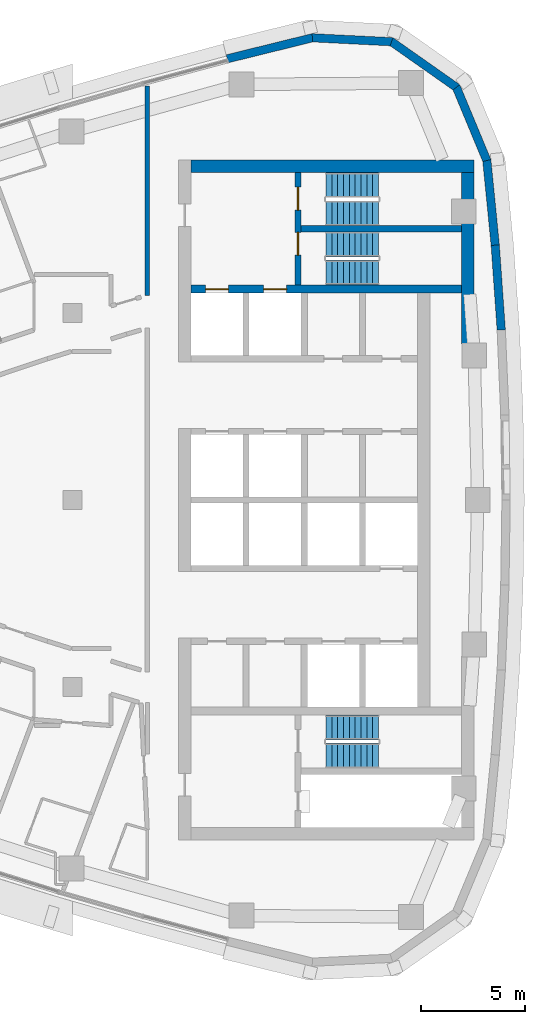
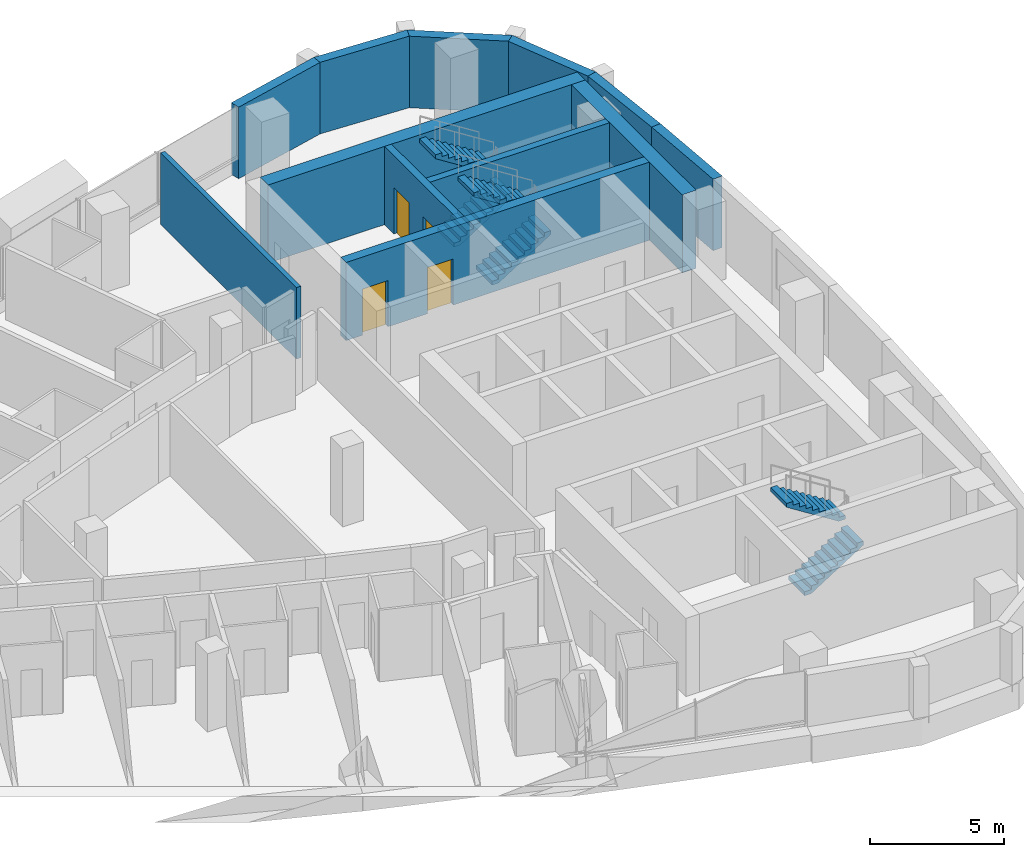
# One storey, part 12 of 16: 12 walls, 6 stair flights, 4 doors, 4 openings, 3 elements without a shape of their own.
"""IFC4 building model written with IfcOpenShell, lengths in metres."""

from ifc_helpers import new_model, si_unit, direction, frame, frame_2d, origin, place, context, subcontext, project, spatial, polyline, rectangle, outline, extrude, material, layer, layer_set, type_object, element, fill, aggregate, save


model = new_model("IFC4")

# Units and contexts
model_context = context("Model", 3, precision=1e-05, world=origin(), true_north=direction((0.0, 1.0)))
body_context = subcontext(model_context, "Body", "Model", "MODEL_VIEW")
ifc_project = project(units=[si_unit("LENGTHUNIT", "METRE"), si_unit("AREAUNIT", "SQUARE_METRE"), si_unit("VOLUMEUNIT", "CUBIC_METRE"), si_unit("PLANEANGLEUNIT", "RADIAN"), si_unit("MASSUNIT", "GRAM", prefix="KILO")], contexts=[model_context])

# Site, building, storey
site_placement = place(None, origin())
site = spatial("IfcSite", under=ifc_project, at=site_placement, CompositionType="ELEMENT")
building_placement = place(site_placement, origin())
building = spatial("IfcBuilding", under=site, at=building_placement, Name="Ostrand Prow Hotel Tower", CompositionType="ELEMENT")
storey_placement = place(building_placement, frame((0.0, 0.0, 249.199951171875)))
storey = spatial("IfcBuildingStorey", under=building, at=storey_placement, Name="L63", CompositionType="ELEMENT", Elevation=249.199951171875)

# Wall, openings, doors
ifc_material_1 = material(Name="Concrete C50/60", Category="concrete")
ifc_layer_1 = layer(ifc_material_1, 0.300048828125)
ifc_layer_set_1 = layer_set([ifc_layer_1], Name="Concrete C50/60")
wall_type_1 = type_object("IfcWallType", Name="Core wall 300 C50/60", PredefinedType="SHEAR", material=ifc_layer_set_1)
wall_1_placement = place(storey_placement, frame((55.85009765625, 10.35009765625, 0.0), z_axis=(0.0, 0.0, 1.0), x_axis=(0.0, 1.0, 0.0)))
wall_1 = element("IfcWall", 1, at=wall_1_placement, inside=storey, type_object=wall_type_1, Name="Core wall PW-VN", PredefinedType="SHEAR", context=body_context, shape_type="SweptSolid", body=[
    extrude(rectangle(XDim=5.39990234375, YDim=0.300048828125, at=frame_2d((2.699951171875, 0.0))), origin(), (0.0, 0.0, 1.0), 3.550048828125),
])
opening_1_placement = place(wall_1_placement, frame((1.429931640625, 0.0, 0.0)))
opening_1 = element("IfcOpeningElement", 2, at=opening_1_placement, cuts=wall_1, Name="Opening FD1", PredefinedType="OPENING", context=body_context, shape_type="SweptSolid", body=[
    extrude(rectangle(XDim=1.10009765625, YDim=2.10009765625, at=frame_2d((0.550048828125, 1.050048828125))), frame((0.0, 0.159912109375, 0.0), z_axis=(0.0, -1.0, 0.0), x_axis=(1.0, 0.0, 0.0)), (0.0, 0.0, 1.0), 0.320068359375),
])
opening_2_placement = place(wall_1_placement, frame((3.60009765625, 0.0, 0.0)))
opening_2 = element("IfcOpeningElement", 3, at=opening_2_placement, cuts=wall_1, Name="Opening FD1", PredefinedType="OPENING", context=body_context, shape_type="SweptSolid", body=[
    extrude(rectangle(XDim=1.10009765625, YDim=2.10009765625, at=frame_2d((0.550048828125, 1.050048828125))), frame((0.0, 0.159912109375, 0.0), z_axis=(0.0, -1.0, 0.0), x_axis=(1.0, 0.0, 0.0)), (0.0, 0.0, 1.0), 0.320068359375),
])
ifc_material_2 = material(Name="Steel fire door", Category="steel")
door_type_1 = type_object("IfcDoorType", Name="Fire door 1100 EI120", OperationType="SINGLE_SWING_RIGHT", PredefinedType="DOOR", material=ifc_material_2)
door_1_placement = place(opening_1_placement, origin())
door_1 = element("IfcDoor", 4, at=door_1_placement, inside=storey, type_object=door_type_1, Name="FIRE DOOR", OperationType="SINGLE_SWING_RIGHT", OverallHeight=2.10009765625, OverallWidth=1.10009765625, PredefinedType="DOOR", context=body_context, shape_type="SweptSolid", body=[
    extrude(rectangle(XDim=1.10009765625, YDim=2.10009765625, at=frame_2d((0.550048828125, 1.050048828125))), frame((0.0, 0.02490234375, 0.0), z_axis=(0.0, -1.0, 0.0), x_axis=(1.0, 0.0, 0.0)), (0.0, 0.0, 1.0), 0.050048828125),
])
fill(opening_1, door_1)
door_2_placement = place(opening_2_placement, origin())
door_2 = element("IfcDoor", 5, at=door_2_placement, inside=storey, type_object=door_type_1, Name="FIRE DOOR", OperationType="SINGLE_SWING_RIGHT", OverallHeight=2.10009765625, OverallWidth=1.10009765625, PredefinedType="DOOR", context=body_context, shape_type="SweptSolid", body=[
    extrude(rectangle(XDim=1.10009765625, YDim=2.10009765625, at=frame_2d((0.550048828125, 1.050048828125))), frame((0.0, 0.02490234375, 0.0), z_axis=(0.0, -1.0, 0.0), x_axis=(1.0, 0.0, 0.0)), (0.0, 0.0, 1.0), 0.050048828125),
])
fill(opening_2, door_2)

# Wall
wall_2_placement = place(storey_placement, frame((56.0, 13.050048828125, 0.0), z_axis=(0.0, 0.0, 1.0), x_axis=(1.0, 0.0, 0.0)))
element("IfcWall", 6, at=wall_2_placement, inside=storey, type_object=wall_type_1, Name="Core wall PW-ST13", PredefinedType="SHEAR", context=body_context, shape_type="SweptSolid", body=[
    extrude(rectangle(XDim=7.719970703125, YDim=0.300048828125, at=frame_2d((3.85986328125, 0.0))), origin(), (0.0, 0.0, 1.0), 3.550048828125),
])

# Wall, openings, doors
ifc_material_3 = material(Name="Concrete C50/60", Category="concrete")
ifc_layer_2 = layer(ifc_material_3, 0.39990234375)
ifc_layer_set_2 = layer_set([ifc_layer_2], Name="Concrete C50/60")
wall_type_2 = type_object("IfcWallType", Name="Core wall 400 C50/60", PredefinedType="SHEAR", material=ifc_layer_set_2)
wall_3_placement = place(storey_placement, frame((50.699951171875, 10.14990234375, 0.0), z_axis=(0.0, 0.0, 1.0), x_axis=(1.0, 0.0, 0.0)))
wall_3 = element("IfcWall", 7, at=wall_3_placement, inside=storey, type_object=wall_type_2, Name="Core wall PW-BN", PredefinedType="SHEAR", context=body_context, shape_type="SweptSolid", body=[
    extrude(rectangle(XDim=13.02001953125, YDim=0.39990234375, at=frame_2d((6.510009765625, 0.0))), origin(), (0.0, 0.0, 1.0), 3.550048828125),
])
opening_3_placement = place(wall_3_placement, frame((0.699951171875, 0.0, 0.0)))
opening_3 = element("IfcOpeningElement", 8, at=opening_3_placement, cuts=wall_3, Name="Opening LD", PredefinedType="OPENING", context=body_context, shape_type="SweptSolid", body=[
    extrude(rectangle(XDim=1.10009765625, YDim=2.10009765625, at=frame_2d((0.550048828125, 1.050048828125))), frame((0.0, 0.2099609375, 0.0), z_axis=(0.0, -1.0, 0.0), x_axis=(1.0, 0.0, 0.0)), (0.0, 0.0, 1.0), 0.419921875),
])
opening_4_placement = place(wall_3_placement, frame((3.5, 0.0, 0.0)))
opening_4 = element("IfcOpeningElement", 9, at=opening_4_placement, cuts=wall_3, Name="Opening LD", PredefinedType="OPENING", context=body_context, shape_type="SweptSolid", body=[
    extrude(rectangle(XDim=1.10009765625, YDim=2.10009765625, at=frame_2d((0.550048828125, 1.050048828125))), frame((0.0, 0.2099609375, 0.0), z_axis=(0.0, -1.0, 0.0), x_axis=(1.0, 0.0, 0.0)), (0.0, 0.0, 1.0), 0.419921875),
])
ifc_material_4 = material(Name="Stainless steel door", Category="steel")
door_type_2 = type_object("IfcDoorType", Name="Lift landing door 1100", OperationType="DOUBLE_DOOR_SLIDING", PredefinedType="DOOR", material=ifc_material_4)
door_3_placement = place(opening_3_placement, origin())
door_3 = element("IfcDoor", 10, at=door_3_placement, inside=storey, type_object=door_type_2, Name="LIFT LANDING DOOR", OperationType="DOUBLE_DOOR_SLIDING", OverallHeight=2.10009765625, OverallWidth=1.10009765625, PredefinedType="DOOR", context=body_context, shape_type="SweptSolid", body=[
    extrude(rectangle(XDim=1.10009765625, YDim=2.10009765625, at=frame_2d((0.550048828125, 1.050048828125))), frame((0.0, 0.02490234375, 0.0), z_axis=(0.0, -1.0, 0.0), x_axis=(1.0, 0.0, 0.0)), (0.0, 0.0, 1.0), 0.050048828125),
])
fill(opening_3, door_3)
door_4_placement = place(opening_4_placement, origin())
door_4 = element("IfcDoor", 11, at=door_4_placement, inside=storey, type_object=door_type_2, Name="LIFT LANDING DOOR", OperationType="DOUBLE_DOOR_SLIDING", OverallHeight=2.10009765625, OverallWidth=1.10009765625, PredefinedType="DOOR", context=body_context, shape_type="SweptSolid", body=[
    extrude(rectangle(XDim=1.10009765625, YDim=2.10009765625, at=frame_2d((0.550048828125, 1.050048828125))), frame((0.0, 0.02490234375, 0.0), z_axis=(0.0, -1.0, 0.0), x_axis=(1.0, 0.0, 0.0)), (0.0, 0.0, 1.0), 0.050048828125),
])
fill(opening_4, door_4)

# Walls
ifc_material_5 = material(Name="Concrete C50/60", Category="concrete")
ifc_layer_3 = layer(ifc_material_5, 0.60009765625)
ifc_layer_set_3 = layer_set([ifc_layer_3], Name="Concrete C50/60")
wall_type_3 = type_object("IfcWallType", Name="Core wall 600 C50/60", PredefinedType="SHEAR", material=ifc_layer_set_3)
wall_4_placement = place(storey_placement, frame((50.699951171875, 16.050048828125, 0.0), z_axis=(0.0, 0.0, 1.0), x_axis=(1.0, 0.0, 0.0)))
element("IfcWall", 12, at=wall_4_placement, inside=storey, type_object=wall_type_3, Name="Core wall CW-N", PredefinedType="SHEAR", context=body_context, shape_type="SweptSolid", body=[
    extrude(rectangle(XDim=13.6201171875, YDim=0.60009765625, at=frame_2d((6.81005859375, 0.0))), origin(), (0.0, 0.0, 1.0), 3.550048828125),
])
wall_5_placement = place(storey_placement, frame((64.02001953125, 7.502197265625, 0.0), z_axis=(0.0, 0.0, 1.0), x_axis=(0.0, 1.0, 0.0)))
element("IfcWall", 13, at=wall_5_placement, inside=storey, type_object=wall_type_3, Name="Core wall CW-E-N", PredefinedType="SHEAR", context=body_context, shape_type="SweptSolid", body=[
    extrude(rectangle(XDim=8.247802734375, YDim=0.60009765625, at=frame_2d((4.1240234375, 0.0))), origin(), (0.0, 0.0, 1.0), 3.550048828125),
])
ifc_material_6 = material(Name="Plasterboard partition")
ifc_layer_4 = layer(ifc_material_6, 0.199951171875)
ifc_layer_set_4 = layer_set([ifc_layer_4], Name="Plasterboard partition")
wall_type_4 = type_object("IfcWallType", Name="Partition 200 corridor wall", PredefinedType="PARTITIONING", material=ifc_layer_set_4)
wall_6_placement = place(storey_placement, frame((48.594970703125, 19.929443359375, 0.0), z_axis=(0.0, 0.0, 1.0), x_axis=(0.0, -1.0, 0.0)))
element("IfcWall", 14, at=wall_6_placement, inside=storey, type_object=wall_type_4, Name="CORRIDOR WALL", PredefinedType="PARTITIONING", context=body_context, shape_type="SweptSolid", body=[
    extrude(rectangle(XDim=10.092529296875, YDim=0.199951171875, at=frame_2d((5.04638671875, 0.0))), origin(), (0.0, 0.0, 1.0), 3.25),
])
ifc_material_7 = material(Name="Precast concrete C40/50", Category="concrete")
ifc_layer_5 = layer(ifc_material_7, 0.39990234375)
ifc_layer_set_5 = layer_set([ifc_layer_5], Name="Precast concrete C40/50")
wall_type_5 = type_object("IfcWallType", Name="Stone-faced precast wall 400 mm", PredefinedType="NOTDEFINED", material=ifc_layer_set_5)
wall_7_placement = place(storey_placement, frame((65.630615234375, 8.181640625, 0.0), z_axis=(0.0, 0.0, 1.0), x_axis=(-0.070623905352, 0.997503014528, 0.0)))
element("IfcWall", 15, at=wall_7_placement, inside=storey, type_object=wall_type_5, Name="Stone-faced wall back 11", PredefinedType="NOTDEFINED", context=body_context, shape_type="SweptSolid", body=[
    extrude(outline(polyline([(-0.002685546875, -0.199951171875), (4.095703125, -0.199951171875), (4.09033203125, 0.199951171875), (0.002685546875, 0.199951171875), (-0.002685546875, -0.199951171875)])), origin(), (0.0, 0.0, 1.0), 3.25),
])
wall_8_placement = place(storey_placement, frame((65.341552734375, 12.264404296875, 0.0), z_axis=(0.0, 0.0, 1.0), x_axis=(-0.098718218066, 0.995115427185, 0.0)))
element("IfcWall", 16, at=wall_8_placement, inside=storey, type_object=wall_type_5, Name="Stone-faced wall back 12", PredefinedType="NOTDEFINED", context=body_context, shape_type="SweptSolid", body=[
    extrude(outline(polyline([(-0.002685546875, -0.199951171875), (4.122802734375, -0.199951171875), (4.063232421875, 0.199951171875), (0.002685546875, 0.199951171875), (-0.002685546875, -0.199951171875)])), origin(), (0.0, 0.0, 1.0), 3.25),
])
wall_9_placement = place(storey_placement, frame((64.9375, 16.33740234375, 0.0), z_axis=(0.0, 0.0, 1.0), x_axis=(-0.3844335483, 0.923152667191, 0.0)))
element("IfcWall", 17, at=wall_9_placement, inside=storey, type_object=wall_type_5, Name="Stone-faced wall back 13", PredefinedType="NOTDEFINED", context=body_context, shape_type="SweptSolid", body=[
    extrude(outline(polyline([(-0.02978515625, -0.199951171875), (3.871337890625, -0.199951171875), (3.755615234375, 0.199951171875), (0.02978515625, 0.199951171875), (-0.02978515625, -0.199951171875)])), origin(), (0.0, 0.0, 1.0), 3.25),
])
wall_10_placement = place(storey_placement, frame((63.471435546875, 19.85791015625, 0.0), z_axis=(0.0, 0.0, 1.0), x_axis=(-0.817942545532, 0.575299915009, 0.0)))
element("IfcWall", 18, at=wall_10_placement, inside=storey, type_object=wall_type_5, Name="Stone-faced wall back 14", PredefinedType="NOTDEFINED", context=body_context, shape_type="SweptSolid", body=[
    extrude(outline(polyline([(-0.057861328125, -0.199951171875), (3.871337890625, -0.199951171875), (3.755615234375, 0.199951171875), (0.057861328125, 0.199951171875), (-0.057861328125, -0.199951171875)])), origin(), (0.0, 0.0, 1.0), 3.25),
])
wall_11_placement = place(storey_placement, frame((60.352294921875, 22.0517578125, 0.0), z_axis=(0.0, 0.0, 1.0), x_axis=(-0.998758875872, 0.049806705046, 0.0)))
element("IfcWall", 19, at=wall_11_placement, inside=storey, type_object=wall_type_5, Name="Stone-faced wall back 15", PredefinedType="NOTDEFINED", context=body_context, shape_type="SweptSolid", body=[
    extrude(outline(polyline([(-0.057861328125, -0.199951171875), (3.8427734375, -0.199951171875), (3.7841796875, 0.199951171875), (0.057861328125, 0.199951171875), (-0.057861328125, -0.199951171875)])), origin(), (0.0, 0.0, 1.0), 3.25),
])
wall_12_placement = place(storey_placement, frame((56.54345703125, 22.24169921875, 0.0), z_axis=(0.0, 0.0, 1.0), x_axis=(-0.970902342456, -0.23947576373, 0.0)))
element("IfcWall", 20, at=wall_12_placement, inside=storey, type_object=wall_type_5, Name="Stone-faced wall back 16", PredefinedType="NOTDEFINED", context=body_context, shape_type="SweptSolid", body=[
    extrude(outline(polyline([(-0.029296875, -0.199951171875), (4.225830078125, -0.199951171875), (4.225830078125, 0.199951171875), (0.029296875, 0.199951171875), (-0.029296875, -0.199951171875)])), origin(), (0.0, 0.0, 1.0), 3.25),
])

# Stair, stair flights
ifc_material_8 = material(Name="Concrete C40/50", Category="concrete")
stair_type = type_object("IfcStairType", Name="Exit stair 1200 upper zone", PredefinedType="HALF_TURN_STAIR", material=ifc_material_8)
stair_1_placement = place(storey_placement, origin())
stair_1 = element("IfcStair", 21, at=stair_1_placement, inside=storey, type_object=stair_type, Name="L63 ST1C", PredefinedType="HALF_TURN_STAIR")
ifc_material_9 = material(Name="Concrete C40/50", Category="concrete")
stair_flight_type = type_object("IfcStairFlightType", Name="Stair flight 1200 concrete", PredefinedType="STRAIGHT", material=ifc_material_9)
stair_flight_1_placement = place(storey_placement, frame((57.199951171875, 10.949951171875, 0.0), z_axis=(0.0, 0.0, 1.0), x_axis=(1.0, 0.0, 0.0)))
stair_flight_1 = element("IfcStairFlight", 22, at=stair_flight_1_placement, type_object=stair_flight_type, Name="ST1C flight 1", NumberOfRisers=10, NumberOfTreads=9, PredefinedType="STRAIGHT", RiserHeight=0.1775, TreadLength=0.28, context=body_context, shape_type="SweptSolid", body=[
    extrude(outline(polyline([(0.0, 0.0), (0.0, 0.177490234375), (0.280029296875, 0.177490234375), (0.280029296875, 0.35498046875), (0.56005859375, 0.35498046875), (0.56005859375, 0.532470703125), (0.840087890625, 0.532470703125), (0.840087890625, 0.7099609375), (1.1201171875, 0.7099609375), (1.1201171875, 0.887451171875), (1.39990234375, 0.887451171875), (1.39990234375, 1.06494140625), (1.679931640625, 1.06494140625), (1.679931640625, 1.242431640625), (1.9599609375, 1.242431640625), (1.9599609375, 1.419921875), (2.239990234375, 1.419921875), (2.239990234375, 1.597412109375), (2.52001953125, 1.597412109375), (2.52001953125, 1.77490234375), (2.52001953125, 1.419921875), (0.280029296875, 0.0), (0.0, 0.0)])), frame((0.0, 0.60009765625, 0.0), z_axis=(0.0, -1.0, 0.0), x_axis=(1.0, 0.0, 0.0)), (0.0, 0.0, 1.0), 1.199951171875),
])
stair_flight_2_placement = place(storey_placement, frame((59.719970703125, 12.300048828125, 1.775146484375), z_axis=(0.0, 0.0, 1.0), x_axis=(-1.0, 0.0, 0.0)))
stair_flight_2 = element("IfcStairFlight", 23, at=stair_flight_2_placement, type_object=stair_flight_type, Name="ST1C flight 2", NumberOfRisers=10, NumberOfTreads=9, PredefinedType="STRAIGHT", RiserHeight=0.1775, TreadLength=0.28, context=body_context, shape_type="SweptSolid", body=[
    extrude(outline(polyline([(0.0, 0.0), (0.0, 0.177490234375), (0.280029296875, 0.177490234375), (0.280029296875, 0.35498046875), (0.56005859375, 0.35498046875), (0.56005859375, 0.532470703125), (0.840087890625, 0.532470703125), (0.840087890625, 0.7099609375), (1.1201171875, 0.7099609375), (1.1201171875, 0.887451171875), (1.39990234375, 0.887451171875), (1.39990234375, 1.06494140625), (1.679931640625, 1.06494140625), (1.679931640625, 1.242431640625), (1.9599609375, 1.242431640625), (1.9599609375, 1.419921875), (2.239990234375, 1.419921875), (2.239990234375, 1.597412109375), (2.52001953125, 1.597412109375), (2.52001953125, 1.77490234375), (2.52001953125, 1.419921875), (0.280029296875, 0.0), (0.0, 0.0)])), frame((0.0, 0.60009765625, 0.0), z_axis=(0.0, -1.0, 0.0), x_axis=(1.0, 0.0, 0.0)), (0.0, 0.0, 1.0), 1.199951171875),
])
aggregate(stair_1, [stair_flight_1, stair_flight_2])

stair_2_placement = place(storey_placement, origin())
stair_2 = element("IfcStair", 24, at=stair_2_placement, inside=storey, type_object=stair_type, Name="L63 ST3C", PredefinedType="HALF_TURN_STAIR")
stair_flight_3_placement = place(storey_placement, frame((57.199951171875, 13.800048828125, 0.0), z_axis=(0.0, 0.0, 1.0), x_axis=(1.0, 0.0, 0.0)))
stair_flight_3 = element("IfcStairFlight", 25, at=stair_flight_3_placement, type_object=stair_flight_type, Name="ST3C flight 1", NumberOfRisers=10, NumberOfTreads=9, PredefinedType="STRAIGHT", RiserHeight=0.1775, TreadLength=0.28, context=body_context, shape_type="SweptSolid", body=[
    extrude(outline(polyline([(0.0, 0.0), (0.0, 0.177490234375), (0.280029296875, 0.177490234375), (0.280029296875, 0.35498046875), (0.56005859375, 0.35498046875), (0.56005859375, 0.532470703125), (0.840087890625, 0.532470703125), (0.840087890625, 0.7099609375), (1.1201171875, 0.7099609375), (1.1201171875, 0.887451171875), (1.39990234375, 0.887451171875), (1.39990234375, 1.06494140625), (1.679931640625, 1.06494140625), (1.679931640625, 1.242431640625), (1.9599609375, 1.242431640625), (1.9599609375, 1.419921875), (2.239990234375, 1.419921875), (2.239990234375, 1.597412109375), (2.52001953125, 1.597412109375), (2.52001953125, 1.77490234375), (2.52001953125, 1.419921875), (0.280029296875, 0.0), (0.0, 0.0)])), frame((0.0, 0.60009765625, 0.0), z_axis=(0.0, -1.0, 0.0), x_axis=(1.0, 0.0, 0.0)), (0.0, 0.0, 1.0), 1.199951171875),
])
stair_flight_4_placement = place(storey_placement, frame((59.719970703125, 15.14990234375, 1.775146484375), z_axis=(0.0, 0.0, 1.0), x_axis=(-1.0, 0.0, 0.0)))
stair_flight_4 = element("IfcStairFlight", 26, at=stair_flight_4_placement, type_object=stair_flight_type, Name="ST3C flight 2", NumberOfRisers=10, NumberOfTreads=9, PredefinedType="STRAIGHT", RiserHeight=0.1775, TreadLength=0.28, context=body_context, shape_type="SweptSolid", body=[
    extrude(outline(polyline([(0.0, 0.0), (0.0, 0.177490234375), (0.280029296875, 0.177490234375), (0.280029296875, 0.35498046875), (0.56005859375, 0.35498046875), (0.56005859375, 0.532470703125), (0.840087890625, 0.532470703125), (0.840087890625, 0.7099609375), (1.1201171875, 0.7099609375), (1.1201171875, 0.887451171875), (1.39990234375, 0.887451171875), (1.39990234375, 1.06494140625), (1.679931640625, 1.06494140625), (1.679931640625, 1.242431640625), (1.9599609375, 1.242431640625), (1.9599609375, 1.419921875), (2.239990234375, 1.419921875), (2.239990234375, 1.597412109375), (2.52001953125, 1.597412109375), (2.52001953125, 1.77490234375), (2.52001953125, 1.419921875), (0.280029296875, 0.0), (0.0, 0.0)])), frame((0.0, 0.60009765625, 0.0), z_axis=(0.0, -1.0, 0.0), x_axis=(1.0, 0.0, 0.0)), (0.0, 0.0, 1.0), 1.199951171875),
])
aggregate(stair_2, [stair_flight_3, stair_flight_4])

stair_3_placement = place(storey_placement, origin())
stair_3 = element("IfcStair", 27, at=stair_3_placement, inside=storey, type_object=stair_type, Name="L63 ST2C", PredefinedType="HALF_TURN_STAIR")
stair_flight_5_placement = place(storey_placement, frame((57.199951171875, -12.300048828125, 0.0), z_axis=(0.0, 0.0, 1.0), x_axis=(1.0, 0.0, 0.0)))
stair_flight_5 = element("IfcStairFlight", 28, at=stair_flight_5_placement, type_object=stair_flight_type, Name="ST2C flight 1", NumberOfRisers=10, NumberOfTreads=9, PredefinedType="STRAIGHT", RiserHeight=0.1775, TreadLength=0.28, context=body_context, shape_type="SweptSolid", body=[
    extrude(outline(polyline([(0.0, 0.0), (0.0, 0.177490234375), (0.280029296875, 0.177490234375), (0.280029296875, 0.35498046875), (0.56005859375, 0.35498046875), (0.56005859375, 0.532470703125), (0.840087890625, 0.532470703125), (0.840087890625, 0.7099609375), (1.1201171875, 0.7099609375), (1.1201171875, 0.887451171875), (1.39990234375, 0.887451171875), (1.39990234375, 1.06494140625), (1.679931640625, 1.06494140625), (1.679931640625, 1.242431640625), (1.9599609375, 1.242431640625), (1.9599609375, 1.419921875), (2.239990234375, 1.419921875), (2.239990234375, 1.597412109375), (2.52001953125, 1.597412109375), (2.52001953125, 1.77490234375), (2.52001953125, 1.419921875), (0.280029296875, 0.0), (0.0, 0.0)])), frame((0.0, 0.60009765625, 0.0), z_axis=(0.0, -1.0, 0.0), x_axis=(1.0, 0.0, 0.0)), (0.0, 0.0, 1.0), 1.199951171875),
])
stair_flight_6_placement = place(storey_placement, frame((59.719970703125, -10.949951171875, 1.775146484375), z_axis=(0.0, 0.0, 1.0), x_axis=(-1.0, 0.0, 0.0)))
stair_flight_6 = element("IfcStairFlight", 29, at=stair_flight_6_placement, type_object=stair_flight_type, Name="ST2C flight 2", NumberOfRisers=10, NumberOfTreads=9, PredefinedType="STRAIGHT", RiserHeight=0.1775, TreadLength=0.28, context=body_context, shape_type="SweptSolid", body=[
    extrude(outline(polyline([(0.0, 0.0), (0.0, 0.177490234375), (0.280029296875, 0.177490234375), (0.280029296875, 0.35498046875), (0.56005859375, 0.35498046875), (0.56005859375, 0.532470703125), (0.840087890625, 0.532470703125), (0.840087890625, 0.7099609375), (1.1201171875, 0.7099609375), (1.1201171875, 0.887451171875), (1.39990234375, 0.887451171875), (1.39990234375, 1.06494140625), (1.679931640625, 1.06494140625), (1.679931640625, 1.242431640625), (1.9599609375, 1.242431640625), (1.9599609375, 1.419921875), (2.239990234375, 1.419921875), (2.239990234375, 1.597412109375), (2.52001953125, 1.597412109375), (2.52001953125, 1.77490234375), (2.52001953125, 1.419921875), (0.280029296875, 0.0), (0.0, 0.0)])), frame((0.0, 0.60009765625, 0.0), z_axis=(0.0, -1.0, 0.0), x_axis=(1.0, 0.0, 0.0)), (0.0, 0.0, 1.0), 1.199951171875),
])
aggregate(stair_3, [stair_flight_5, stair_flight_6])

save(model, "model.ifc")
